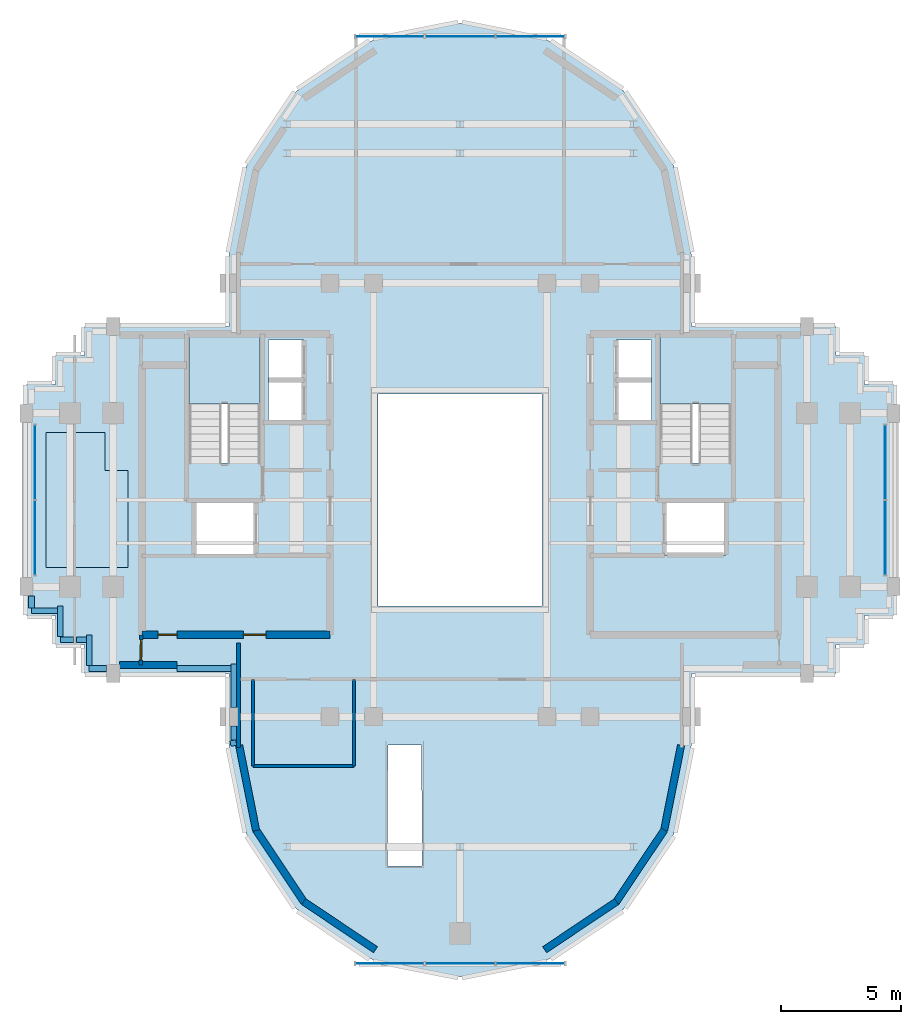
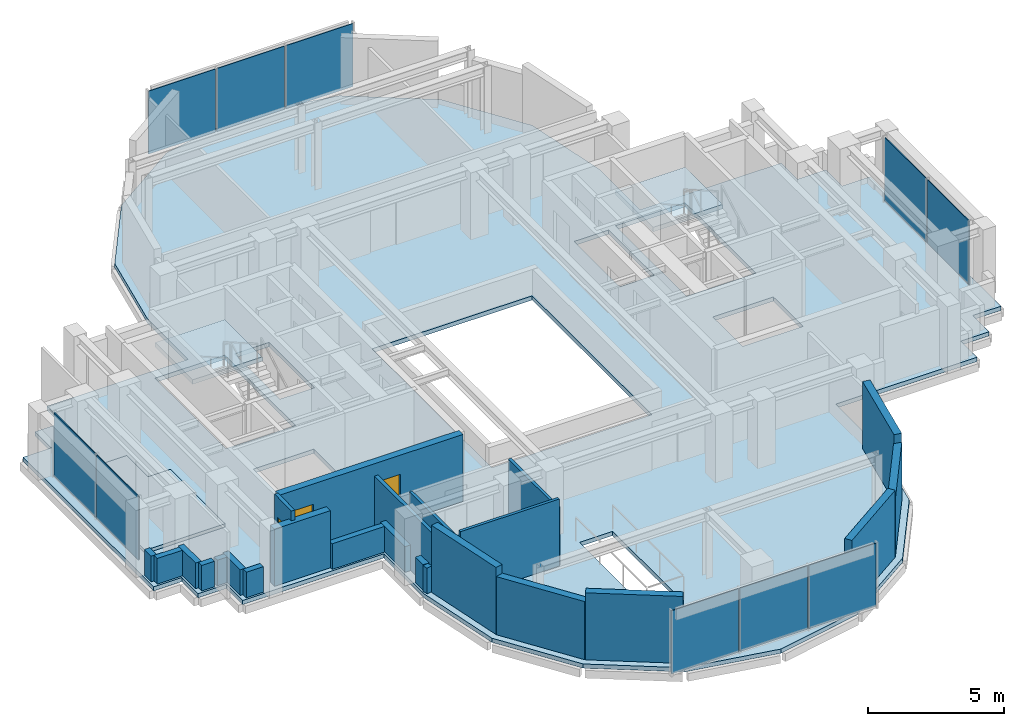
# One storey, part 7 of 12: 24 walls, 10 plates, 4 slabs, 3 doors, 3 openings, 6 elements without a shape of their own.
"""IFC4 building model written with IfcOpenShell, lengths in metres."""

from ifc_helpers import new_model, si_unit, direction, frame, frame_2d, origin, origin_2d, place, context, subcontext, project, spatial, polyline, rectangle, outline, extrude, source, transform, mapped, material, layer, layer_set, type_object, element, fill, aggregate, save


model = new_model("IFC4")

# Units and contexts
model_context = context("Model", 3, precision=1e-05, world=origin(), true_north=direction((0.0, 1.0)))
body_context = subcontext(model_context, "Body", "Model", "MODEL_VIEW")
ifc_project = project(units=[si_unit("LENGTHUNIT", "METRE"), si_unit("AREAUNIT", "SQUARE_METRE"), si_unit("VOLUMEUNIT", "CUBIC_METRE"), si_unit("PLANEANGLEUNIT", "RADIAN"), si_unit("MASSUNIT", "GRAM", prefix="KILO")], contexts=[model_context])

# Site, building, storey
site_placement = place(None, origin())
site = spatial("IfcSite", under=ifc_project, at=site_placement, CompositionType="ELEMENT")
building_placement = place(site_placement, origin())
building = spatial("IfcBuilding", under=site, at=building_placement, Name="Keilestroom Media Tower", CompositionType="ELEMENT")
storey_placement = place(building_placement, frame((0.0, 0.0, 242.800048828125)))
storey = spatial("IfcBuildingStorey", under=building, at=storey_placement, Name="L67", CompositionType="ELEMENT", Elevation=242.800048828125)

# Slabs
ifc_material_1 = material(Name="Concrete C50/60", Category="concrete")
ifc_layer_1 = layer(ifc_material_1, 0.18994140625)
ifc_layer_set_1 = layer_set([ifc_layer_1], Name="Concrete C50/60")
slab_type_1 = type_object("IfcSlabType", Name="Composite-Floor-Slab-190", PredefinedType="FLOOR", material=ifc_layer_set_1)
slab_1_placement = place(storey_placement, frame((0.0, 0.0, -0.18994140625)))
element("IfcSlab", 1, at=slab_1_placement, inside=storey, type_object=slab_type_1, Name="L67 Structural Composite Floor Slab", PredefinedType="FLOOR", context=body_context, shape_type="SweptSolid", body=[
    extrude(outline(polyline([(18.0, -4.800048828125), (18.0, 4.800048828125), (16.800048828125, 4.800048828125), (16.800048828125, 6.0), (15.60009765625, 6.0), (15.60009765625, 7.199951171875), (9.60009765625, 7.199951171875), (9.60009765625, 9.60009765625), (9.60009765625, 10.199951171875), (8.869140625, 13.873779296875), (6.7880859375, 16.98828125), (3.673828125, 19.069091796875), (0.0, 19.800048828125), (-3.673828125, 19.069091796875), (-6.7880859375, 16.98828125), (-8.869140625, 13.873779296875), (-9.60009765625, 10.199951171875), (-9.60009765625, 9.60009765625), (-9.60009765625, 7.199951171875), (-15.60009765625, 7.199951171875), (-15.60009765625, 6.0), (-16.800048828125, 6.0), (-16.800048828125, 4.800048828125), (-18.0, 4.800048828125), (-18.0, -4.800048828125), (-16.800048828125, -4.800048828125), (-16.800048828125, -6.0), (-15.60009765625, -6.0), (-15.60009765625, -7.199951171875), (-9.60009765625, -7.199951171875), (-9.60009765625, -9.60009765625), (-9.60009765625, -10.199951171875), (-8.869140625, -13.873779296875), (-6.7880859375, -16.98828125), (-3.673828125, -19.069091796875), (0.0, -19.800048828125), (3.673828125, -19.069091796875), (6.7880859375, -16.98828125), (8.869140625, -13.873779296875), (9.60009765625, -10.199951171875), (9.60009765625, -9.60009765625), (9.60009765625, -7.199951171875), (15.60009765625, -7.199951171875), (15.60009765625, -6.0), (16.800048828125, -6.0), (16.800048828125, -4.800048828125), (18.0, -4.800048828125)]), holes=[polyline([(-8.300048828125, 6.760009765625), (-8.300048828125, 1.544921875), (-11.260009765625, 1.544921875), (-11.260009765625, 6.760009765625), (-8.300048828125, 6.760009765625)]), polyline([(-8.47998046875, -0.10009765625), (-8.47998046875, -2.280029296875), (-11.050048828125, -2.280029296875), (-11.050048828125, -0.10009765625), (-8.47998046875, -0.10009765625)]), polyline([(-6.47998046875, 6.64990234375), (-6.47998046875, 3.300048828125), (-7.949951171875, 3.300048828125), (-7.949951171875, 6.64990234375), (-6.47998046875, 6.64990234375)]), polyline([(3.39990234375, 4.39990234375), (3.39990234375, -4.39990234375), (-3.39990234375, -4.39990234375), (-3.39990234375, 4.39990234375), (3.39990234375, 4.39990234375)]), polyline([(-1.580078125, -15.199951171875), (-3.02001953125, -15.199951171875), (-3.0, -10.1650390625), (-1.60009765625, -10.1650390625), (-1.580078125, -15.199951171875)]), polyline([(7.949951171875, 6.64990234375), (7.949951171875, 3.300048828125), (6.47998046875, 3.300048828125), (6.47998046875, 6.64990234375), (7.949951171875, 6.64990234375)]), polyline([(11.260009765625, 6.760009765625), (11.260009765625, 1.544921875), (8.300048828125, 1.544921875), (8.300048828125, 6.760009765625), (11.260009765625, 6.760009765625)]), polyline([(11.050048828125, -0.10009765625), (11.050048828125, -2.280029296875), (8.47998046875, -2.280029296875), (8.47998046875, -0.10009765625), (11.050048828125, -0.10009765625)])]), origin(), (0.0, 0.0, 1.0), 0.18994140625),
])
ifc_material_2 = material(Name="Concrete C45/55", Category="concrete")
ifc_layer_2 = layer(ifc_material_2, 0.14990234375)
ifc_layer_set_2 = layer_set([ifc_layer_2], Name="Concrete C45/55")
slab_type_2 = type_object("IfcSlabType", Name="Floating-Studio-Floor-Slab-150", PredefinedType="FLOOR", material=ifc_layer_set_2)
slab_2_placement = place(storey_placement, origin())
element("IfcSlab", 2, at=slab_2_placement, inside=storey, type_object=slab_type_2, Name="L67 Acoustic Floating Studio Slab ST-CLB-Z4", PredefinedType="FLOOR", context=body_context, shape_type="SweptSolid", body=[
    extrude(outline(polyline([(-17.199951171875, -2.800048828125), (-13.800048828125, -2.800048828125), (-13.800048828125, 1.23193359375), (-14.751953125, 1.23193359375), (-14.751953125, 2.800048828125), (-17.199951171875, 2.800048828125), (-17.199951171875, -2.800048828125)])), origin(), (0.0, 0.0, 1.0), 0.14990234375),
])

# Stair, slab
stair_type = type_object("IfcStairType", Name="Enclosed-Dog-Leg-Stair-ST-CORE", PredefinedType="HALF_TURN_STAIR", material=ifc_material_2)
stair_1_placement = place(storey_placement, origin())
stair_1 = element("IfcStair", 3, at=stair_1_placement, inside=storey, type_object=stair_type, Name="L67 West Core Escape Stair ST-1", PredefinedType="HALF_TURN_STAIR")
ifc_layer_3 = layer(ifc_material_2, 0.199951171875)
ifc_layer_set_3 = layer_set([ifc_layer_3], Name="Concrete C45/55")
slab_type_3 = type_object("IfcSlabType", Name="Stair-Intermediate-And-Top-Landing-Slab-200", PredefinedType="LANDING", material=ifc_layer_set_3)
slab_3_placement = place(storey_placement, frame((0.0, 0.0, 1.39990234375)))
slab_3 = element("IfcSlab", 4, at=slab_3_placement, type_object=slab_type_3, Name="ST-1 landing 1", PredefinedType="LANDING", context=body_context, shape_type="SweptSolid", body=[
    extrude(outline(polyline([(-8.300048828125, 3.99609375), (-8.300048828125, 6.760009765625), (-11.260009765625, 6.760009765625), (-11.260009765625, 3.99609375), (-8.300048828125, 3.99609375)])), origin(), (0.0, 0.0, 1.0), 0.199951171875),
])
aggregate(stair_1, [slab_3])

stair_2_placement = place(storey_placement, origin())
stair_2 = element("IfcStair", 5, at=stair_2_placement, inside=storey, type_object=stair_type, Name="L67 East Core Escape Stair ST-2", PredefinedType="HALF_TURN_STAIR")
slab_4_placement = place(storey_placement, frame((0.0, 0.0, 1.39990234375)))
slab_4 = element("IfcSlab", 6, at=slab_4_placement, type_object=slab_type_3, Name="ST-2 landing 1", PredefinedType="LANDING", context=body_context, shape_type="SweptSolid", body=[
    extrude(outline(polyline([(11.260009765625, 3.99609375), (11.260009765625, 6.760009765625), (8.300048828125, 6.760009765625), (8.300048828125, 3.99609375), (11.260009765625, 3.99609375)])), origin(), (0.0, 0.0, 1.0), 0.199951171875),
])
aggregate(stair_2, [slab_4])

# Curtain wall, plates
ifc_material_3 = material(Name="Anodised Aluminium Alloy", Category="aluminium")
curtain_wall_type_1 = type_object("IfcCurtainWallType", Name="Unitised-Curtain-Wall-CW-6", PredefinedType="NOTDEFINED", material=ifc_material_3)
curtain_wall_1_placement = place(storey_placement, origin())
curtain_wall_1 = element("IfcCurtainWall", 7, at=curtain_wall_1_placement, inside=storey, type_object=curtain_wall_type_1, Name="L67 Curtain Wall CW-6 CW-L67-LN-1", PredefinedType="NOTDEFINED")
ifc_material_4 = material(Name="Curved-Facet Triple Glazed Unit", Category="glass")
ifc_layer_4 = layer(ifc_material_4, 0.033935546875)
ifc_layer_set_4 = layer_set([ifc_layer_4], Name="Curved-Facet Triple Glazed Unit")
plate_type_1 = type_object("IfcPlateType", Name="Insulated-Curtain-Wall-Glazing-Panel-CW-6", PredefinedType="CURTAIN_PANEL", material=ifc_layer_set_4)
shared_shape_1 = source(origin(), body_context, "Body", "SweptSolid", [
    extrude(rectangle(XDim=2.84375, YDim=0.033935546875, at=origin_2d()), origin(), (0.0, 0.0, 1.0), 2.833984375),
])
plate_1_placement = place(storey_placement, frame((-2.9169921875, 19.25, 0.072998046875), z_axis=(0.0, 0.0, 1.0), x_axis=(1.0, 0.0, 0.0)))
plate_1 = element("IfcPlate", 8, at=plate_1_placement, type_object=plate_type_1, Name="CW-6 Unitised Glazing 00", PredefinedType="CURTAIN_PANEL", context=body_context, shape_type="MappedRepresentation", body=[
    mapped(shared_shape_1, transform((0.0, 0.0, 0.0), x_axis=(1.0, 0.0, 0.0), y_axis=(0.0, 1.0, 0.0), z_axis=(0.0, 0.0, 1.0), scale=1.0)),
])
plate_2_placement = place(storey_placement, frame((2.9169921875, 19.25, 0.072998046875), z_axis=(0.0, 0.0, 1.0), x_axis=(1.0, 0.0, 0.0)))
plate_2 = element("IfcPlate", 9, at=plate_2_placement, type_object=plate_type_1, Name="CW-6 Unitised Glazing 02", PredefinedType="CURTAIN_PANEL", context=body_context, shape_type="MappedRepresentation", body=[
    mapped(shared_shape_1, transform((0.0, 0.0, 0.0), x_axis=(1.0, 0.0, 0.0), y_axis=(0.0, 1.0, 0.0), z_axis=(0.0, 0.0, 1.0), scale=1.0)),
])

curtain_wall_2_placement = place(storey_placement, origin())
curtain_wall_2 = element("IfcCurtainWall", 10, at=curtain_wall_2_placement, inside=storey, type_object=curtain_wall_type_1, Name="L67 Curtain Wall CW-6 CW-L67-LS-1", PredefinedType="NOTDEFINED")
plate_3_placement = place(storey_placement, frame((-2.9169921875, -19.25, 0.072998046875), z_axis=(0.0, 0.0, 1.0), x_axis=(1.0, 0.0, 0.0)))
plate_3 = element("IfcPlate", 11, at=plate_3_placement, type_object=plate_type_1, Name="CW-6 Unitised Glazing 00", PredefinedType="CURTAIN_PANEL", context=body_context, shape_type="MappedRepresentation", body=[
    mapped(shared_shape_1, transform((0.0, 0.0, 0.0), x_axis=(1.0, 0.0, 0.0), y_axis=(0.0, 1.0, 0.0), z_axis=(0.0, 0.0, 1.0), scale=1.0)),
])
plate_4_placement = place(storey_placement, frame((2.9169921875, -19.25, 0.072998046875), z_axis=(0.0, 0.0, 1.0), x_axis=(1.0, 0.0, 0.0)))
plate_4 = element("IfcPlate", 12, at=plate_4_placement, type_object=plate_type_1, Name="CW-6 Unitised Glazing 02", PredefinedType="CURTAIN_PANEL", context=body_context, shape_type="MappedRepresentation", body=[
    mapped(shared_shape_1, transform((0.0, 0.0, 0.0), x_axis=(1.0, 0.0, 0.0), y_axis=(0.0, 1.0, 0.0), z_axis=(0.0, 0.0, 1.0), scale=1.0)),
])

# Plate
shared_shape_2 = source(origin(), body_context, "Body", "SweptSolid", [
    extrude(rectangle(XDim=2.876220703125, YDim=0.033935546875, at=origin_2d()), origin(), (0.0, 0.0, 1.0), 2.833984375),
])
plate_5_placement = place(storey_placement, frame((0.0, 19.25, 0.072998046875), z_axis=(0.0, 0.0, 1.0), x_axis=(1.0, 0.0, 0.0)))
plate_5 = element("IfcPlate", 13, at=plate_5_placement, type_object=plate_type_1, Name="CW-6 Unitised Glazing 01", PredefinedType="CURTAIN_PANEL", context=body_context, shape_type="MappedRepresentation", body=[
    mapped(shared_shape_2, transform((0.0, 0.0, 0.0), x_axis=(1.0, 0.0, 0.0), y_axis=(0.0, 1.0, 0.0), z_axis=(0.0, 0.0, 1.0), scale=1.0)),
])

aggregate(curtain_wall_1, [plate_1, plate_5, plate_2])

plate_6_placement = place(storey_placement, frame((0.0, -19.25, 0.072998046875), z_axis=(0.0, 0.0, 1.0), x_axis=(1.0, 0.0, 0.0)))
plate_6 = element("IfcPlate", 14, at=plate_6_placement, type_object=plate_type_1, Name="CW-6 Unitised Glazing 01", PredefinedType="CURTAIN_PANEL", context=body_context, shape_type="MappedRepresentation", body=[
    mapped(shared_shape_2, transform((0.0, 0.0, 0.0), x_axis=(1.0, 0.0, 0.0), y_axis=(0.0, 1.0, 0.0), z_axis=(0.0, 0.0, 1.0), scale=1.0)),
])

aggregate(curtain_wall_2, [plate_3, plate_6, plate_4])

# Curtain wall, plates
curtain_wall_type_2 = type_object("IfcCurtainWallType", Name="Unitised-Curtain-Wall-CW-4", PredefinedType="NOTDEFINED", material=ifc_material_3)
curtain_wall_3_placement = place(storey_placement, origin())
curtain_wall_3 = element("IfcCurtainWall", 15, at=curtain_wall_3_placement, inside=storey, type_object=curtain_wall_type_2, Name="L67 Curtain Wall CW-4 CW-L67-W-1", PredefinedType="NOTDEFINED")
ifc_material_5 = material(Name="Triple Glazed Solar-Control Unit", Category="glass")
ifc_layer_5 = layer(ifc_material_5, 0.035888671875)
ifc_layer_set_5 = layer_set([ifc_layer_5], Name="Triple Glazed Solar-Control Unit")
plate_type_2 = type_object("IfcPlateType", Name="Insulated-Curtain-Wall-Glazing-Panel-CW-4", PredefinedType="CURTAIN_PANEL", material=ifc_layer_set_5)
shared_shape_3 = source(origin(), body_context, "Body", "SweptSolid", [
    extrude(rectangle(XDim=3.0830078125, YDim=0.035888671875, at=origin_2d()), origin(), (0.0, 0.0, 1.0), 2.85400390625),
])
plate_7_placement = place(storey_placement, frame((-17.64990234375, -1.5673828125, 0.06298828125), z_axis=(0.0, 0.0, 1.0), x_axis=(0.0, 1.0, 0.0)))
plate_7 = element("IfcPlate", 16, at=plate_7_placement, type_object=plate_type_2, Name="CW-4 Unitised Glazing 00", PredefinedType="CURTAIN_PANEL", context=body_context, shape_type="MappedRepresentation", body=[
    mapped(shared_shape_3, transform((0.0, 0.0, 0.0), x_axis=(1.0, 0.0, 0.0), y_axis=(0.0, 1.0, 0.0), z_axis=(0.0, 0.0, 1.0), scale=1.0)),
])
plate_8_placement = place(storey_placement, frame((-17.64990234375, 1.5673828125, 0.06298828125), z_axis=(0.0, 0.0, 1.0), x_axis=(0.0, 1.0, 0.0)))
plate_8 = element("IfcPlate", 17, at=plate_8_placement, type_object=plate_type_2, Name="CW-4 Unitised Glazing 01", PredefinedType="CURTAIN_PANEL", context=body_context, shape_type="MappedRepresentation", body=[
    mapped(shared_shape_3, transform((0.0, 0.0, 0.0), x_axis=(1.0, 0.0, 0.0), y_axis=(0.0, 1.0, 0.0), z_axis=(0.0, 0.0, 1.0), scale=1.0)),
])
aggregate(curtain_wall_3, [plate_7, plate_8])

curtain_wall_4_placement = place(storey_placement, origin())
curtain_wall_4 = element("IfcCurtainWall", 18, at=curtain_wall_4_placement, inside=storey, type_object=curtain_wall_type_2, Name="L67 Curtain Wall CW-4 CW-L67-E-1", PredefinedType="NOTDEFINED")
plate_9_placement = place(storey_placement, frame((17.64990234375, -1.5673828125, 0.06298828125), z_axis=(0.0, 0.0, 1.0), x_axis=(0.0, 1.0, 0.0)))
plate_9 = element("IfcPlate", 19, at=plate_9_placement, type_object=plate_type_2, Name="CW-4 Unitised Glazing 00", PredefinedType="CURTAIN_PANEL", context=body_context, shape_type="MappedRepresentation", body=[
    mapped(shared_shape_3, transform((0.0, 0.0, 0.0), x_axis=(1.0, 0.0, 0.0), y_axis=(0.0, 1.0, 0.0), z_axis=(0.0, 0.0, 1.0), scale=1.0)),
])
plate_10_placement = place(storey_placement, frame((17.64990234375, 1.5673828125, 0.06298828125), z_axis=(0.0, 0.0, 1.0), x_axis=(0.0, 1.0, 0.0)))
plate_10 = element("IfcPlate", 20, at=plate_10_placement, type_object=plate_type_2, Name="CW-4 Unitised Glazing 01", PredefinedType="CURTAIN_PANEL", context=body_context, shape_type="MappedRepresentation", body=[
    mapped(shared_shape_3, transform((0.0, 0.0, 0.0), x_axis=(1.0, 0.0, 0.0), y_axis=(0.0, 1.0, 0.0), z_axis=(0.0, 0.0, 1.0), scale=1.0)),
])
aggregate(curtain_wall_4, [plate_9, plate_10])

# Walls
ifc_material_6 = material(Name="Precast concrete C40/50", Category="concrete")
ifc_layer_6 = layer(ifc_material_6, 0.300048828125)
ifc_layer_set_6 = layer_set([ifc_layer_6], Name="Precast concrete C40/50")
wall_type_1 = type_object("IfcWallType", Name="Exterior-Masonry-Spandrel-Wall-300", PredefinedType="SOLIDWALL", material=ifc_layer_set_6)
wall_1_placement = place(storey_placement, frame((-14.133056640625, -6.85009765625, 0.0), z_axis=(0.0, 0.0, 1.0), x_axis=(1.0, 0.0, 0.0)))
element("IfcWall", 21, at=wall_1_placement, inside=storey, type_object=wall_type_1, Name="L67 Flank Masonry Wall EWL-L67-SW-1", PredefinedType="SOLIDWALL", context=body_context, shape_type="SweptSolid", body=[
    extrude(rectangle(XDim=2.383056640625, YDim=0.300048828125, at=frame_2d((1.19140625, 0.0))), origin(), (0.0, 0.0, 1.0), 2.570068359375),
])
wall_2_placement = place(storey_placement, frame((-9.1748046875, -10.185302734375, 0.0), z_axis=(0.0, 0.0, 1.0), x_axis=(0.195114232679, -0.980780523974, 0.0)))
element("IfcWall", 22, at=wall_2_placement, inside=storey, type_object=wall_type_1, Name="L67 Lobe Facet Precast Frame Wall 07", PredefinedType="SOLIDWALL", context=body_context, shape_type="SweptSolid", body=[
    extrude(rectangle(XDim=3.608642578125, YDim=0.300048828125, at=frame_2d((1.80419921875, 0.0))), origin(), (0.0, 0.0, 1.0), 3.010009765625),
])
wall_3_placement = place(storey_placement, frame((-8.48193359375, -13.697509765625, 0.0), z_axis=(0.0, 0.0, 1.0), x_axis=(0.555574187116, -0.831466970246, 0.0)))
element("IfcWall", 23, at=wall_3_placement, inside=storey, type_object=wall_type_1, Name="L67 Lobe Facet Precast Frame Wall 08", PredefinedType="SOLIDWALL", context=body_context, shape_type="SweptSolid", body=[
    extrude(rectangle(XDim=3.608642578125, YDim=0.300048828125, at=frame_2d((1.80419921875, 0.0))), origin(), (0.0, 0.0, 1.0), 2.60986328125),
])
for number, where, z_axis, x_axis, name in (
    (24, (-6.497802734375, -16.677001953125, 0.0), (0.0, 0.0, 1.0), (0.831443568068, -0.555609208993, 0.0), "L67 Lobe Facet Precast Frame Wall 09"),
    (25, (3.510009765625, -18.673583984375, 0.0), (0.0, 0.0, 1.0), (0.831443568068, 0.555609208993, 0.0), "L67 Lobe Facet Precast Frame Wall 10"),
):
    element("IfcWall", number, at=place(storey_placement, frame(where, z_axis=z_axis, x_axis=x_axis)), inside=storey, type_object=wall_type_1, Name=name, PredefinedType="SOLIDWALL", context=body_context, shape_type="SweptSolid", body=[
        extrude(rectangle(XDim=3.593505859375, YDim=0.300048828125, at=frame_2d((1.796875, 0.0))), origin(), (0.0, 0.0, 1.0), 3.010009765625),
    ])
wall_4_placement = place(storey_placement, frame((6.47705078125, -16.697998046875, 0.0), z_axis=(0.0, 0.0, 1.0), x_axis=(0.555574187116, 0.831466970246, 0.0)))
element("IfcWall", 26, at=wall_4_placement, inside=storey, type_object=wall_type_1, Name="L67 Lobe Facet Precast Frame Wall 11", PredefinedType="SOLIDWALL", context=body_context, shape_type="SweptSolid", body=[
    extrude(rectangle(XDim=3.608642578125, YDim=0.300048828125, at=frame_2d((1.80419921875, 0.0))), origin(), (0.0, 0.0, 1.0), 2.60986328125),
])
wall_5_placement = place(storey_placement, frame((8.470703125, -13.724609375, 0.0), z_axis=(0.0, 0.0, 1.0), x_axis=(0.195114232679, 0.980780523974, 0.0)))
element("IfcWall", 27, at=wall_5_placement, inside=storey, type_object=wall_type_1, Name="L67 Lobe Facet Precast Frame Wall 12", PredefinedType="SOLIDWALL", context=body_context, shape_type="SweptSolid", body=[
    extrude(rectangle(XDim=3.608642578125, YDim=0.300048828125, at=frame_2d((1.80419921875, 0.0))), origin(), (0.0, 0.0, 1.0), 3.010009765625),
])
ifc_material_7 = material(Name="Gypsum Plasterboard & Steel Stud", Category="steel")
ifc_layer_7 = layer(ifc_material_7, 0.1201171875)
ifc_layer_set_7 = layer_set([ifc_layer_7], Name="Gypsum Plasterboard & Steel Stud")
wall_type_2 = type_object("IfcWallType", Name="Interior-Partition-Wall-120", PredefinedType="PARTITIONING", material=ifc_layer_set_7)
wall_6_placement = place(storey_placement, frame((-8.60009765625, -11.050048828125, 0.0), z_axis=(0.0, 0.0, 1.0), x_axis=(1.0, 0.0, 0.0)))
element("IfcWall", 28, at=wall_6_placement, inside=storey, type_object=wall_type_2, Name="L67 Interior Wall WP-L67-SL-WC4-S", PredefinedType="PARTITIONING", context=body_context, shape_type="SweptSolid", body=[
    extrude(rectangle(XDim=4.2001953125, YDim=0.1201171875, at=frame_2d((2.10009765625, 0.0))), origin(), (0.0, 0.0, 1.0), 3.010009765625),
])
for number, where, z_axis, x_axis, name in (
    (29, (-8.60009765625, -11.050048828125, 0.0), (0.0, 0.0, 1.0), (0.0, 1.0, 0.0), "L67 Interior Wall WP-L67-SL-WC4-W"),
    (30, (-4.39990234375, -11.050048828125, 0.0), (0.0, 0.0, 1.0), (0.0, 1.0, 0.0), "L67 Interior Wall WP-L67-SL-WC4-E"),
):
    element("IfcWall", number, at=place(storey_placement, frame(where, z_axis=z_axis, x_axis=x_axis)), inside=storey, type_object=wall_type_2, Name=name, PredefinedType="PARTITIONING", context=body_context, shape_type="SweptSolid", body=[
        extrude(rectangle(XDim=3.60009765625, YDim=0.1201171875, at=frame_2d((1.800048828125, 0.0))), origin(), (0.0, 0.0, 1.0), 2.60986328125),
    ])
ifc_layer_8 = layer(ifc_material_7, 0.14990234375)
ifc_layer_set_8 = layer_set([ifc_layer_8], Name="Gypsum Plasterboard & Steel Stud")
wall_type_3 = type_object("IfcWallType", Name="Interior-Partition-Wall-150", PredefinedType="PARTITIONING", material=ifc_layer_set_8)
wall_7_placement = place(storey_placement, frame((-9.199951171875, -10.280029296875, 0.0), z_axis=(0.0, 0.0, 1.0), x_axis=(0.0, 1.0, 0.0)))
element("IfcWall", 31, at=wall_7_placement, inside=storey, type_object=wall_type_3, Name="L67 Interior Wall WP-L67-SL-CHKW", PredefinedType="PARTITIONING", context=body_context, shape_type="SweptSolid", body=[
    extrude(rectangle(XDim=4.340087890625, YDim=0.14990234375, at=frame_2d((2.169921875, 0.0))), origin(), (0.0, 0.0, 1.0), 2.60986328125),
])

# Wall, opening, door
wall_8_placement = place(storey_placement, frame((-13.260009765625, -6.85009765625, 0.0), z_axis=(0.0, 0.0, 1.0), x_axis=(0.016013571389, 0.999871774545, 0.0)))
wall_8 = element("IfcWall", 32, at=wall_8_placement, inside=storey, type_object=wall_type_3, Name="L67 Interior Wall WP-L67-WA-ENTS", PredefinedType="PARTITIONING", context=body_context, shape_type="SweptSolid", body=[
    extrude(rectangle(XDim=1.250244140625, YDim=0.14990234375, at=frame_2d((0.625, 0.0))), origin(), (0.0, 0.0, 1.0), 3.010009765625),
])
opening_1_placement = place(wall_8_placement, frame((0.199951171875, 0.0, 0.0)))
opening_1 = element("IfcOpeningElement", 33, at=opening_1_placement, cuts=wall_8, Name="Opening DI-05", PredefinedType="OPENING", context=body_context, shape_type="SweptSolid", body=[
    extrude(rectangle(XDim=0.85009765625, YDim=2.10009765625, at=frame_2d((0.425048828125, 1.050048828125))), frame((0.0, 0.0849609375, 0.0), z_axis=(0.0, -1.0, 0.0), x_axis=(1.0, 0.0, 0.0)), (0.0, 0.0, 1.0), 0.169921875),
])
ifc_material_8 = material(Name="Moisture-Resistant Oak Leaf", Category="wood")
door_type_1 = type_object("IfcDoorType", Name="Interior-En-Suite-And-Cupboard-Door-DI-05", OperationType="NOTDEFINED", PredefinedType="DOOR", material=ifc_material_8)
shared_shape_4 = source(origin(), body_context, "Body", "SweptSolid", [
    extrude(rectangle(XDim=0.85009765625, YDim=2.10009765625, at=frame_2d((0.425048828125, 1.050048828125))), frame((0.0, 0.02490234375, 0.0), z_axis=(0.0, -1.0, 0.0), x_axis=(1.0, 0.0, 0.0)), (0.0, 0.0, 1.0), 0.050048828125),
])
door_1_placement = place(opening_1_placement, origin())
door_1 = element("IfcDoor", 34, at=door_1_placement, inside=storey, type_object=door_type_1, Name="L67 Interior Door DI-L67-DWA-E", OperationType="SINGLE_SWING_RIGHT", OverallHeight=2.10009765625, OverallWidth=0.85009765625, PredefinedType="DOOR", context=body_context, shape_type="MappedRepresentation", body=[
    mapped(shared_shape_4, transform((0.0, 0.0, 0.0), x_axis=(1.0, 0.0, 0.0), y_axis=(0.0, 1.0, 0.0), z_axis=(0.0, 0.0, 1.0), scale=1.0)),
])
fill(opening_1, door_1)

# Wall, openings, doors
ifc_layer_9 = layer(ifc_material_1, 0.300048828125)
ifc_layer_set_9 = layer_set([ifc_layer_9], Name="Concrete C50/60")
wall_type_4 = type_object("IfcWallType", Name="Reinforced-Concrete-Core-Shear-Wall-300", PredefinedType="SHEAR", material=ifc_layer_set_9)
wall_9_placement = place(storey_placement, frame((-13.199951171875, -5.60009765625, 0.0), z_axis=(0.0, 0.0, 1.0), x_axis=(1.0, 0.0, 0.0)))
wall_9 = element("IfcWall", 35, at=wall_9_placement, inside=storey, type_object=wall_type_4, Name="L67 Core Shear Wall WL-L67-CORE-W-S", PredefinedType="SHEAR", context=body_context, shape_type="SweptSolid", body=[
    extrude(rectangle(XDim=7.800048828125, YDim=0.300048828125, at=frame_2d((3.89990234375, 0.0))), origin(), (0.0, 0.0, 1.0), 3.010009765625),
])
opening_2_placement = place(wall_9_placement, frame((0.64990234375, 0.0, 0.0)))
opening_2 = element("IfcOpeningElement", 36, at=opening_2_placement, cuts=wall_9, Name="Opening DI-06", PredefinedType="OPENING", context=body_context, shape_type="SweptSolid", body=[
    extrude(rectangle(XDim=0.800048828125, YDim=2.10009765625, at=frame_2d((0.39990234375, 1.050048828125))), frame((0.0, 0.16015625, 0.0), z_axis=(0.0, -1.0, 0.0), x_axis=(1.0, 0.0, 0.0)), (0.0, 0.0, 1.0), 0.320068359375),
])
opening_3_placement = place(wall_9_placement, frame((4.199951171875, 0.0, 0.0)))
opening_3 = element("IfcOpeningElement", 37, at=opening_3_placement, cuts=wall_9, Name="Opening DI-03", PredefinedType="OPENING", context=body_context, shape_type="SweptSolid", body=[
    extrude(rectangle(XDim=0.949951171875, YDim=2.14990234375, at=frame_2d((0.47509765625, 1.074951171875))), frame((0.0, 0.16015625, 0.0), z_axis=(0.0, -1.0, 0.0), x_axis=(1.0, 0.0, 0.0)), (0.0, 0.0, 1.0), 0.320068359375),
])
ifc_material_9 = material(Name="Powder-Coated Steel Service Leaf", Category="steel")
door_type_2 = type_object("IfcDoorType", Name="Interior-Riser-Access-Door-DI-06", OperationType="NOTDEFINED", PredefinedType="DOOR", material=ifc_material_9)
shared_shape_5 = source(origin(), body_context, "Body", "SweptSolid", [
    extrude(rectangle(XDim=0.800048828125, YDim=2.10009765625, at=frame_2d((0.39990234375, 1.050048828125))), frame((0.0, 0.02490234375, 0.0), z_axis=(0.0, -1.0, 0.0), x_axis=(1.0, 0.0, 0.0)), (0.0, 0.0, 1.0), 0.050048828125),
])
door_2_placement = place(opening_2_placement, origin())
door_2 = element("IfcDoor", 38, at=door_2_placement, inside=storey, type_object=door_type_2, Name="L67 Reclaimed West Core Room Door", OperationType="SINGLE_SWING_LEFT", OverallHeight=2.10009765625, OverallWidth=0.800048828125, PredefinedType="DOOR", context=body_context, shape_type="MappedRepresentation", body=[
    mapped(shared_shape_5, transform((0.0, 0.0, 0.0), x_axis=(1.0, 0.0, 0.0), y_axis=(0.0, 1.0, 0.0), z_axis=(0.0, 0.0, 1.0), scale=1.0)),
])
fill(opening_2, door_2)
ifc_material_10 = material(Name="Lacquered European Oak Leaf", Category="wood")
door_type_3 = type_object("IfcDoorType", Name="Interior-Room-And-Suite-Door-DI-03", OperationType="NOTDEFINED", PredefinedType="DOOR", material=ifc_material_10)
shared_shape_6 = source(origin(), body_context, "Body", "SweptSolid", [
    extrude(rectangle(XDim=0.949951171875, YDim=2.14990234375, at=frame_2d((0.47509765625, 1.074951171875))), frame((0.0, 0.02490234375, 0.0), z_axis=(0.0, -1.0, 0.0), x_axis=(1.0, 0.0, 0.0)), (0.0, 0.0, 1.0), 0.050048828125),
])
door_3_placement = place(opening_3_placement, origin())
door_3 = element("IfcDoor", 39, at=door_3_placement, inside=storey, type_object=door_type_3, Name="L67 Reclaimed Mid West Room Door", OperationType="SINGLE_SWING_LEFT", OverallHeight=2.14990234375, OverallWidth=0.949951171875, PredefinedType="DOOR", context=body_context, shape_type="MappedRepresentation", body=[
    mapped(shared_shape_6, transform((0.0, 0.0, 0.0), x_axis=(1.0, 0.0, 0.0), y_axis=(0.0, 1.0, 0.0), z_axis=(0.0, 0.0, 1.0), scale=1.0)),
])
fill(opening_3, door_3)

# Walls
ifc_layer_10 = layer(ifc_material_6, 0.239990234375)
ifc_layer_set_10 = layer_set([ifc_layer_10], Name="Precast concrete C40/50")
wall_type_5 = type_object("IfcWallType", Name="Roof-And-Terrace-Parapet-Wall-240", PredefinedType="PARAPET", material=ifc_layer_set_10)
wall_10_placement = place(storey_placement, frame((-9.395263671875, -10.2041015625, 0.0), z_axis=(0.0, 0.0, 1.0), x_axis=(-0.194859894132, 0.980831087221, 0.0)))
element("IfcWall", 40, at=wall_10_placement, inside=storey, type_object=wall_type_5, Name="L67 Perimeter Edge Parapet Wall 09", PredefinedType="PARAPET", context=body_context, shape_type="SweptSolid", body=[
    extrude(rectangle(XDim=0.224365234375, YDim=0.239990234375, at=frame_2d((0.1123046875, 0.0))), origin(), (0.0, 0.0, 1.0), 1.14990234375),
])
wall_11_placement = place(storey_placement, frame((-9.39990234375, -9.957763671875, 0.0), z_axis=(0.0, 0.0, 1.0), x_axis=(0.0, 1.0, 0.0)))
element("IfcWall", 41, at=wall_11_placement, inside=storey, type_object=wall_type_5, Name="L67 Perimeter Edge Parapet Wall 10", PredefinedType="PARAPET", context=body_context, shape_type="SweptSolid", body=[
    extrude(rectangle(XDim=0.579833984375, YDim=0.239990234375, at=frame_2d((0.2900390625, 0.0))), origin(), (0.0, 0.0, 1.0), 1.14990234375),
])
wall_12_placement = place(storey_placement, frame((-9.39990234375, -8.6220703125, 0.0), z_axis=(0.0, 0.0, 1.0), x_axis=(0.0, 1.0, 0.0)))
element("IfcWall", 42, at=wall_12_placement, inside=storey, type_object=wall_type_5, Name="L67 Perimeter Edge Parapet Wall 11", PredefinedType="PARAPET", context=body_context, shape_type="SweptSolid", body=[
    extrude(rectangle(XDim=1.822021484375, YDim=0.239990234375, at=frame_2d((0.9111328125, 0.0))), origin(), (0.0, 0.0, 1.0), 1.14990234375),
])
wall_13_placement = place(storey_placement, frame((-9.52294921875, -7.0, 0.0), z_axis=(0.0, 0.0, 1.0), x_axis=(-1.0, 0.0, 0.0)))
element("IfcWall", 43, at=wall_13_placement, inside=storey, type_object=wall_type_5, Name="L67 Perimeter Edge Parapet Wall 12", PredefinedType="PARAPET", context=body_context, shape_type="SweptSolid", body=[
    extrude(rectangle(XDim=2.22412109375, YDim=0.239990234375, at=frame_2d((1.112060546875, 0.0))), origin(), (0.0, 0.0, 1.0), 1.14990234375),
])
wall_14_placement = place(storey_placement, frame((-14.677978515625, -7.0, 0.0), z_axis=(0.0, 0.0, 1.0), x_axis=(-1.0, 0.0, 0.0)))
element("IfcWall", 44, at=wall_14_placement, inside=storey, type_object=wall_type_5, Name="L67 Perimeter Edge Parapet Wall 13", PredefinedType="PARAPET", context=body_context, shape_type="SweptSolid", body=[
    extrude(rectangle(XDim=0.721923828125, YDim=0.239990234375, at=frame_2d((0.36083984375, 0.0))), origin(), (0.0, 0.0, 1.0), 1.14990234375),
])
wall_15_placement = place(storey_placement, frame((-15.39990234375, -6.876953125, 0.0), z_axis=(0.0, 0.0, 1.0), x_axis=(0.0, 1.0, 0.0)))
element("IfcWall", 45, at=wall_15_placement, inside=storey, type_object=wall_type_5, Name="L67 Perimeter Edge Parapet Wall 14", PredefinedType="PARAPET", context=body_context, shape_type="SweptSolid", body=[
    extrude(rectangle(XDim=1.27685546875, YDim=0.239990234375, at=frame_2d((0.638427734375, 0.0))), origin(), (0.0, 0.0, 1.0), 1.14990234375),
])
wall_16_placement = place(storey_placement, frame((-15.52294921875, -5.800048828125, 0.0), z_axis=(0.0, 0.0, 1.0), x_axis=(-1.0, 0.0, 0.0)))
element("IfcWall", 46, at=wall_16_placement, inside=storey, type_object=wall_type_5, Name="L67 Perimeter Edge Parapet Wall 15", PredefinedType="PARAPET", context=body_context, shape_type="SweptSolid", body=[
    extrude(rectangle(XDim=0.4140625, YDim=0.239990234375, at=frame_2d((0.20703125, 0.0))), origin(), (0.0, 0.0, 1.0), 1.14990234375),
])
wall_17_placement = place(storey_placement, frame((-16.06298828125, -5.800048828125, 0.0), z_axis=(0.0, 0.0, 1.0), x_axis=(-1.0, 0.0, 0.0)))
element("IfcWall", 47, at=wall_17_placement, inside=storey, type_object=wall_type_5, Name="L67 Perimeter Edge Parapet Wall 16", PredefinedType="PARAPET", context=body_context, shape_type="SweptSolid", body=[
    extrude(rectangle(XDim=0.537109375, YDim=0.239990234375, at=frame_2d((0.2685546875, 0.0))), origin(), (0.0, 0.0, 1.0), 1.14990234375),
])
wall_18_placement = place(storey_placement, frame((-16.60009765625, -5.677001953125, 0.0), z_axis=(0.0, 0.0, 1.0), x_axis=(0.0, 1.0, 0.0)))
element("IfcWall", 48, at=wall_18_placement, inside=storey, type_object=wall_type_5, Name="L67 Perimeter Edge Parapet Wall 17", PredefinedType="PARAPET", context=body_context, shape_type="SweptSolid", body=[
    extrude(rectangle(XDim=1.277099609375, YDim=0.239990234375, at=frame_2d((0.638671875, 0.0))), origin(), (0.0, 0.0, 1.0), 1.14990234375),
])
wall_19_placement = place(storey_placement, frame((-16.722900390625, -4.60009765625, 0.0), z_axis=(0.0, 0.0, 1.0), x_axis=(-1.0, 0.0, 0.0)))
element("IfcWall", 49, at=wall_19_placement, inside=storey, type_object=wall_type_5, Name="L67 Perimeter Edge Parapet Wall 18", PredefinedType="PARAPET", context=body_context, shape_type="SweptSolid", body=[
    extrude(rectangle(XDim=1.0771484375, YDim=0.239990234375, at=frame_2d((0.53857421875, 0.0))), origin(), (0.0, 0.0, 1.0), 1.14990234375),
])
wall_20_placement = place(storey_placement, frame((-17.800048828125, -4.47705078125, 0.0), z_axis=(0.0, 0.0, 1.0), x_axis=(0.0, 1.0, 0.0)))
element("IfcWall", 50, at=wall_20_placement, inside=storey, type_object=wall_type_5, Name="L67 Perimeter Edge Parapet Wall 19", PredefinedType="PARAPET", context=body_context, shape_type="SweptSolid", body=[
    extrude(rectangle(XDim=0.4990234375, YDim=0.239990234375, at=frame_2d((0.24951171875, 0.0))), origin(), (0.0, 0.0, 1.0), 1.14990234375),
])

save(model, "model.ifc")
